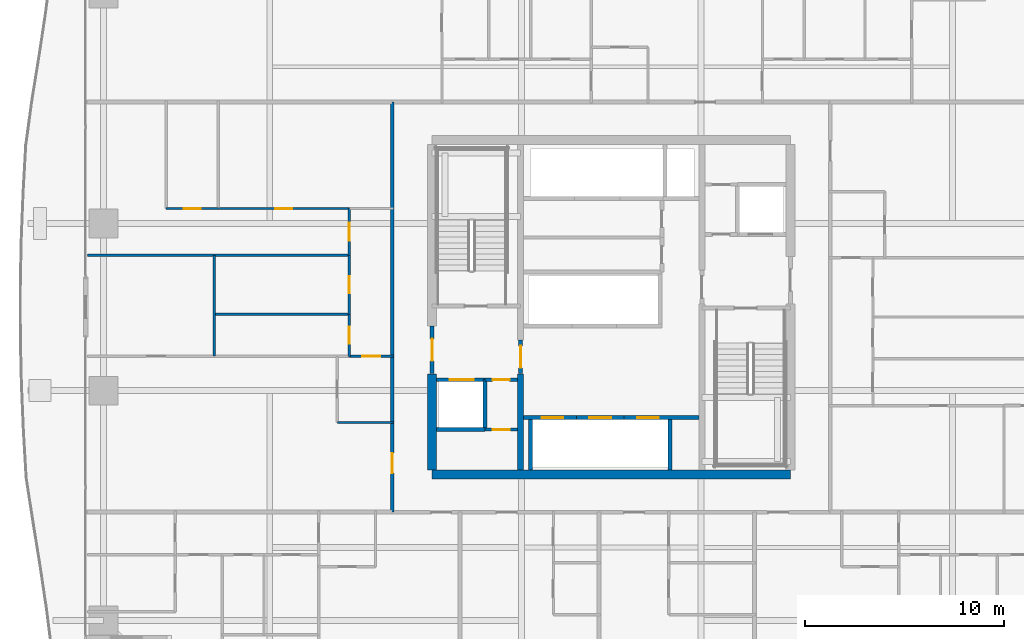
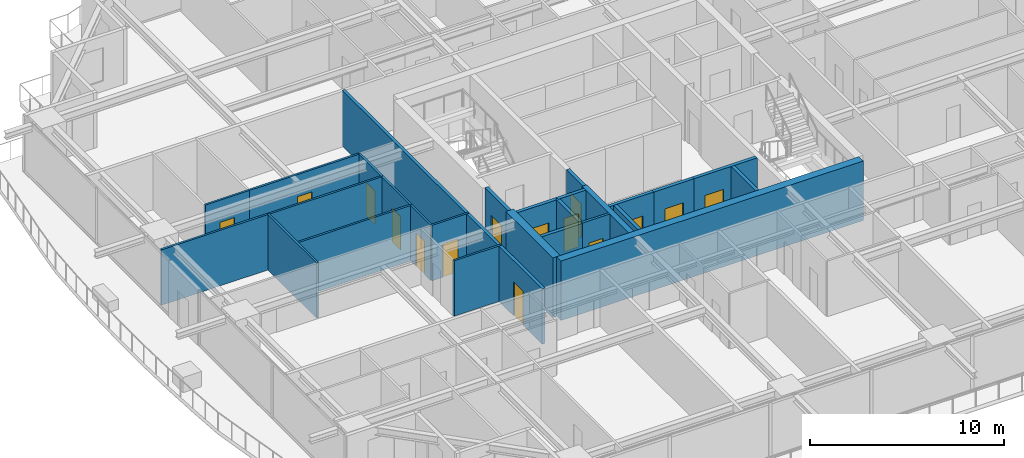
# One storey, part 24 of 35: 26 walls, 15 doors, 15 openings.
"""IFC4 building model written with IfcOpenShell, lengths in metres."""

from ifc_helpers import new_model, si_unit, direction, frame, frame_2d, origin, place, context, subcontext, project, spatial, rectangle, extrude, source, transform, mapped, material, layer, layer_set, type_object, element, fill, save


model = new_model("IFC4")

# Units and contexts
model_context = context("Model", 3, precision=1e-05, world=origin(), true_north=direction((0.0, 1.0)))
body_context = subcontext(model_context, "Body", "Model", "MODEL_VIEW")
ifc_project = project(units=[si_unit("LENGTHUNIT", "METRE"), si_unit("AREAUNIT", "SQUARE_METRE"), si_unit("VOLUMEUNIT", "CUBIC_METRE"), si_unit("PLANEANGLEUNIT", "RADIAN"), si_unit("MASSUNIT", "GRAM", prefix="KILO")], contexts=[model_context])

# Site, building, storey
site_placement = place(None, origin())
site = spatial("IfcSite", under=ifc_project, at=site_placement, CompositionType="ELEMENT")
building_placement = place(site_placement, origin())
building = spatial("IfcBuilding", under=site, at=building_placement, Name="Serunith Strait Residences", CompositionType="ELEMENT")
storey_placement = place(building_placement, frame((0.0, 0.0, 56.699951171875)))
storey = spatial("IfcBuildingStorey", under=building, at=storey_placement, Name="L13", CompositionType="ELEMENT", Elevation=56.699951171875)

# Wall, opening, door
ifc_material_1 = material(Name="Fire-rated masonry service closet wall", Category="masonry")
ifc_layer_1 = layer(ifc_material_1, 0.14990234375, Name="Fire-rated masonry service closet wall")
ifc_layer_set_1 = layer_set([ifc_layer_1], Name="Fire-rated masonry service closet wall")
wall_type_1 = type_object("IfcWallType", Name="IW-BOH-150", PredefinedType="PARTITIONING", material=ifc_layer_set_1)
wall_1_placement = place(storey_placement, frame((26.052001953125, 19.050048828125, 0.0), z_axis=(0.0, 0.0, 1.0), x_axis=(1.0, 0.0, 0.0)))
wall_1 = element("IfcWall", 1, at=wall_1_placement, inside=storey, type_object=wall_type_1, Name="L13 Partition Wall 012", PredefinedType="PARTITIONING", context=body_context, shape_type="SweptSolid", body=[
    extrude(rectangle(XDim=1.64794921875, YDim=0.14990234375, at=frame_2d((0.823974609375, 0.0))), origin(), (0.0, 0.0, 1.0), 3.489990234375),
])
opening_1_placement = place(wall_1_placement, frame((0.39892578125, 0.0, 0.0)))
opening_1 = element("IfcOpeningElement", 2, at=opening_1_placement, cuts=wall_1, Name="Opening FD-850", PredefinedType="OPENING", context=body_context, shape_type="SweptSolid", body=[
    extrude(rectangle(XDim=0.85009765625, YDim=2.10009765625, at=frame_2d((0.425048828125, 1.050048828125))), frame((0.0, 0.0849609375, 0.0), z_axis=(0.0, -1.0, 0.0), x_axis=(1.0, 0.0, 0.0)), (0.0, 0.0, 1.0), 0.169921875),
])
ifc_material_2 = material(Name="Powder-coated steel service closet door", Category="steel")
door_type_1 = type_object("IfcDoorType", Name="FD-BOH-850", OperationType="NOTDEFINED", PredefinedType="DOOR", material=ifc_material_2)
shared_shape_1 = source(origin(), body_context, "Body", "SweptSolid", [
    extrude(rectangle(XDim=0.85009765625, YDim=2.10009765625, at=frame_2d((0.425048828125, 1.050048828125))), frame((0.0, 0.02490234375, 0.0), z_axis=(0.0, -1.0, 0.0), x_axis=(1.0, 0.0, 0.0)), (0.0, 0.0, 1.0), 0.050048828125),
])
door_1_placement = place(opening_1_placement, origin())
door_1 = element("IfcDoor", 3, at=door_1_placement, inside=storey, type_object=door_type_1, Name="L13 Water Meter Door", OperationType="SINGLE_SWING_LEFT", OverallHeight=2.10009765625, OverallWidth=0.85009765625, PredefinedType="DOOR", context=body_context, shape_type="MappedRepresentation", body=[
    mapped(shared_shape_1, transform((0.0, 0.0, 0.0), scale=1.0)),
])
fill(opening_1, door_1)

ifc_material_3 = material(Name="Fire-rated acoustic gypsum partition")
ifc_layer_2 = layer(ifc_material_3, 0.179931640625, Name="Fire-rated acoustic gypsum partition")
ifc_layer_set_2 = layer_set([ifc_layer_2], Name="Fire-rated acoustic gypsum partition")
wall_type_2 = type_object("IfcWallType", Name="IW-CORR-180", PredefinedType="PARTITIONING", material=ifc_layer_set_2)
wall_2_placement = place(storey_placement, frame((21.39990234375, 14.89990234375, 0.0), z_axis=(0.0, 0.0, 1.0), x_axis=(0.0, 1.0, 0.0)))
wall_2 = element("IfcWall", 4, at=wall_2_placement, inside=storey, type_object=wall_type_2, Name="L13 Partition Wall 026", PredefinedType="PARTITIONING", context=body_context, shape_type="SweptSolid", body=[
    extrude(rectangle(XDim=20.60009765625, YDim=0.179931640625, at=frame_2d((10.300048828125, 0.0))), origin(), (0.0, 0.0, 1.0), 3.489990234375),
])
opening_2_placement = place(wall_2_placement, frame((1.9599609375, 0.0, 0.0)))
opening_2 = element("IfcOpeningElement", 5, at=opening_2_placement, cuts=wall_2, Name="Opening D-APT1000", PredefinedType="OPENING", context=body_context, shape_type="SweptSolid", body=[
    extrude(rectangle(XDim=1.0, YDim=2.14990234375, at=frame_2d((0.5, 1.074951171875))), frame((0.0, 0.10009765625, 0.0), z_axis=(0.0, -1.0, 0.0), x_axis=(1.0, 0.0, 0.0)), (0.0, 0.0, 1.0), 0.199951171875),
])
ifc_material_4 = material(Name="Solid timber engineered fire door", Category="wood")
door_type_2 = type_object("IfcDoorType", Name="ID-APT-1000", OperationType="NOTDEFINED", PredefinedType="DOOR", material=ifc_material_4)
shared_shape_2 = source(origin(), body_context, "Body", "SweptSolid", [
    extrude(rectangle(XDim=1.0, YDim=2.14990234375, at=frame_2d((0.5, 1.074951171875))), frame((0.0, 0.02490234375, 0.0), z_axis=(0.0, -1.0, 0.0), x_axis=(1.0, 0.0, 0.0)), (0.0, 0.0, 1.0), 0.050048828125),
])
door_2_placement = place(opening_2_placement, origin())
door_2 = element("IfcDoor", 6, at=door_2_placement, inside=storey, type_object=door_type_2, Name="L13 Unit 06 Entrance Door", OperationType="SINGLE_SWING_RIGHT", OverallHeight=2.14990234375, OverallWidth=1.0, PredefinedType="DOOR", context=body_context, shape_type="MappedRepresentation", body=[
    mapped(shared_shape_2, transform((0.0, 0.0, 0.0), scale=1.0)),
])
fill(opening_2, door_2)

# Wall
ifc_material_5 = material(Name="Lightweight steel-stud gypsum partition", Category="steel")
ifc_layer_3 = layer(ifc_material_5, 0.1201171875, Name="Lightweight steel-stud gypsum partition")
ifc_layer_set_3 = layer_set([ifc_layer_3], Name="Lightweight steel-stud gypsum partition")
wall_type_3 = type_object("IfcWallType", Name="IW-PART-120", PredefinedType="PARTITIONING", material=ifc_layer_set_3)
wall_3_placement = place(storey_placement, frame((18.64990234375, 19.39990234375, 0.0), z_axis=(0.0, 0.0, 1.0), x_axis=(1.0, 0.0, 0.0)))
element("IfcWall", 7, at=wall_3_placement, inside=storey, type_object=wall_type_3, Name="L13 Partition Wall 099", PredefinedType="PARTITIONING", context=body_context, shape_type="SweptSolid", body=[
    extrude(rectangle(XDim=2.81005859375, YDim=0.1201171875, at=frame_2d((1.405029296875, 0.0))), origin(), (0.0, 0.0, 1.0), 3.489990234375),
])

# Wall, opening, door
wall_4_placement = place(storey_placement, frame((19.25, 22.72998046875, 0.0), z_axis=(0.0, 0.0, 1.0), x_axis=(1.0, 0.0, 0.0)))
wall_4 = element("IfcWall", 8, at=wall_4_placement, inside=storey, type_object=wall_type_3, Name="L13 Partition Wall 100", PredefinedType="PARTITIONING", context=body_context, shape_type="SweptSolid", body=[
    extrude(rectangle(XDim=2.2099609375, YDim=0.1201171875, at=frame_2d((1.10498046875, 0.0))), origin(), (0.0, 0.0, 1.0), 3.489990234375),
])
opening_3_placement = place(wall_4_placement, frame((0.655029296875, 0.0, 0.0)))
opening_3 = element("IfcOpeningElement", 9, at=opening_3_placement, cuts=wall_4, Name="Opening D-RM900", PredefinedType="OPENING", context=body_context, shape_type="SweptSolid", body=[
    extrude(rectangle(XDim=0.89990234375, YDim=2.10009765625, at=frame_2d((0.449951171875, 1.050048828125))), frame((0.0, 0.070068359375, 0.0), z_axis=(0.0, -1.0, 0.0), x_axis=(1.0, 0.0, 0.0)), (0.0, 0.0, 1.0), 0.14013671875),
])
ifc_material_6 = material(Name="Engineered timber flush bedroom door", Category="wood")
door_type_3 = type_object("IfcDoorType", Name="ID-ROOM-900", OperationType="NOTDEFINED", PredefinedType="DOOR", material=ifc_material_6)
shared_shape_3 = source(origin(), body_context, "Body", "SweptSolid", [
    extrude(rectangle(XDim=0.89990234375, YDim=2.10009765625, at=frame_2d((0.449951171875, 1.050048828125))), frame((0.0, 0.02490234375, 0.0), z_axis=(0.0, -1.0, 0.0), x_axis=(1.0, 0.0, 0.0)), (0.0, 0.0, 1.0), 0.050048828125),
])
door_3_placement = place(opening_3_placement, origin())
door_3 = element("IfcDoor", 10, at=door_3_placement, inside=storey, type_object=door_type_3, Name="L13 Hall E 1306 Door", OperationType="SINGLE_SWING_RIGHT", OverallHeight=2.10009765625, OverallWidth=0.89990234375, PredefinedType="DOOR", context=body_context, shape_type="MappedRepresentation", body=[
    mapped(shared_shape_3, transform((0.0, 0.0, 0.0), scale=1.0)),
])
fill(opening_3, door_3)

# Walls
wall_5_placement = place(storey_placement, frame((12.470947265625, 22.72998046875, 0.0), z_axis=(0.0, 0.0, 1.0), x_axis=(0.0, 1.0, 0.0)))
element("IfcWall", 11, at=wall_5_placement, inside=storey, type_object=wall_type_3, Name="L13 Partition Wall 103", PredefinedType="PARTITIONING", context=body_context, shape_type="SweptSolid", body=[
    extrude(rectangle(XDim=5.070068359375, YDim=0.1201171875, at=frame_2d((2.53515625, 0.0))), origin(), (0.0, 0.0, 1.0), 3.489990234375),
])
wall_6_placement = place(storey_placement, frame((6.094970703125, 27.800048828125, 0.0), z_axis=(0.0, 0.0, 1.0), x_axis=(1.0, 0.0, 0.0)))
element("IfcWall", 12, at=wall_6_placement, inside=storey, type_object=wall_type_3, Name="L13 Partition Wall 104", PredefinedType="PARTITIONING", context=body_context, shape_type="SweptSolid", body=[
    extrude(rectangle(XDim=13.155029296875, YDim=0.1201171875, at=frame_2d((6.57763671875, 0.0))), origin(), (0.0, 0.0, 1.0), 3.489990234375),
])
wall_7_placement = place(storey_placement, frame((12.470947265625, 24.830078125, 0.0), z_axis=(0.0, 0.0, 1.0), x_axis=(1.0, 0.0, 0.0)))
element("IfcWall", 13, at=wall_7_placement, inside=storey, type_object=wall_type_3, Name="L13 Partition Wall 105", PredefinedType="PARTITIONING", context=body_context, shape_type="SweptSolid", body=[
    extrude(rectangle(XDim=6.779052734375, YDim=0.1201171875, at=frame_2d((3.3896484375, 0.0))), origin(), (0.0, 0.0, 1.0), 3.489990234375),
])

# Wall, opening, door
wall_8_placement = place(storey_placement, frame((19.25, 22.72998046875, 0.0), z_axis=(0.0, 0.0, 1.0), x_axis=(0.0, 1.0, 0.0)))
wall_8 = element("IfcWall", 14, at=wall_8_placement, inside=storey, type_object=wall_type_3, Name="L13 Partition Wall 106", PredefinedType="PARTITIONING", context=body_context, shape_type="SweptSolid", body=[
    extrude(rectangle(XDim=2.10009765625, YDim=0.1201171875, at=frame_2d((1.050048828125, 0.0))), origin(), (0.0, 0.0, 1.0), 3.489990234375),
])
opening_4_placement = place(wall_8_placement, frame((0.625, 0.0, 0.0)))
opening_4 = element("IfcOpeningElement", 15, at=opening_4_placement, cuts=wall_8, Name="Opening D-BTH850", PredefinedType="OPENING", context=body_context, shape_type="SweptSolid", body=[
    extrude(rectangle(XDim=0.85009765625, YDim=2.10009765625, at=frame_2d((0.425048828125, 1.050048828125))), frame((0.0, 0.070068359375, 0.0), z_axis=(0.0, -1.0, 0.0), x_axis=(1.0, 0.0, 0.0)), (0.0, 0.0, 1.0), 0.14013671875),
])
ifc_material_7 = material(Name="Moisture-resistant timber bathroom door", Category="wood")
door_type_4 = type_object("IfcDoorType", Name="ID-BATH-850", OperationType="NOTDEFINED", PredefinedType="DOOR", material=ifc_material_7)
door_4_placement = place(opening_4_placement, origin())
door_4 = element("IfcDoor", 16, at=door_4_placement, inside=storey, type_object=door_type_4, Name="L13 Bathroom 1306 Door", OperationType="SINGLE_SWING_RIGHT", OverallHeight=2.10009765625, OverallWidth=0.85009765625, PredefinedType="DOOR", context=body_context, shape_type="MappedRepresentation", body=[
    mapped(shared_shape_1, transform((0.0, 0.0, 0.0), scale=1.0)),
])
fill(opening_4, door_4)

wall_9_placement = place(storey_placement, frame((19.25, 24.83203125, 0.0), z_axis=(0.0, 0.0, 1.0), x_axis=(0.0, 1.0, 0.0)))
wall_9 = element("IfcWall", 17, at=wall_9_placement, inside=storey, type_object=wall_type_3, Name="L13 Partition Wall 107", PredefinedType="PARTITIONING", context=body_context, shape_type="SweptSolid", body=[
    extrude(rectangle(XDim=2.968017578125, YDim=0.1201171875, at=frame_2d((1.48388671875, 0.0))), origin(), (0.0, 0.0, 1.0), 3.489990234375),
])
opening_5_placement = place(wall_9_placement, frame((1.05908203125, 0.0, 0.0)))
opening_5 = element("IfcOpeningElement", 18, at=opening_5_placement, cuts=wall_9, Name="Opening D-RM850", PredefinedType="OPENING", context=body_context, shape_type="SweptSolid", body=[
    extrude(rectangle(XDim=0.85009765625, YDim=2.10009765625, at=frame_2d((0.425048828125, 1.050048828125))), frame((0.0, 0.070068359375, 0.0), z_axis=(0.0, -1.0, 0.0), x_axis=(1.0, 0.0, 0.0)), (0.0, 0.0, 1.0), 0.14013671875),
])
ifc_material_8 = material(Name="Engineered timber flush study and kitchen door", Category="wood")
door_type_5 = type_object("IfcDoorType", Name="ID-ROOM-850", OperationType="NOTDEFINED", PredefinedType="DOOR", material=ifc_material_8)
door_5_placement = place(opening_5_placement, origin())
door_5 = element("IfcDoor", 19, at=door_5_placement, inside=storey, type_object=door_type_5, Name="L13 Formal Dining Room 1306 Door", OperationType="SINGLE_SWING_LEFT", OverallHeight=2.10009765625, OverallWidth=0.85009765625, PredefinedType="DOOR", context=body_context, shape_type="MappedRepresentation", body=[
    mapped(shared_shape_1, transform((0.0, 0.0, 0.0), scale=1.0)),
])
fill(opening_5, door_5)

wall_10_placement = place(storey_placement, frame((19.25, 27.802001953125, 0.0), z_axis=(0.0, 0.0, 1.0), x_axis=(0.0, 1.0, 0.0)))
wall_10 = element("IfcWall", 20, at=wall_10_placement, inside=storey, type_object=wall_type_3, Name="L13 Partition Wall 108", PredefinedType="PARTITIONING", context=body_context, shape_type="SweptSolid", body=[
    extrude(rectangle(XDim=2.347900390625, YDim=0.1201171875, at=frame_2d((1.173828125, 0.0))), origin(), (0.0, 0.0, 1.0), 3.489990234375),
])
opening_6_placement = place(wall_10_placement, frame((0.72412109375, 0.0, 0.0)))
opening_6 = element("IfcOpeningElement", 21, at=opening_6_placement, cuts=wall_10, Name="Opening D-RM900", PredefinedType="OPENING", context=body_context, shape_type="SweptSolid", body=[
    extrude(rectangle(XDim=0.89990234375, YDim=2.10009765625, at=frame_2d((0.449951171875, 1.050048828125))), frame((0.0, 0.070068359375, 0.0), z_axis=(0.0, -1.0, 0.0), x_axis=(1.0, 0.0, 0.0)), (0.0, 0.0, 1.0), 0.14013671875),
])
door_6_placement = place(opening_6_placement, origin())
door_6 = element("IfcDoor", 22, at=door_6_placement, inside=storey, type_object=door_type_3, Name="L13 Master Bedroom E 1306 Door", OperationType="SINGLE_SWING_RIGHT", OverallHeight=2.10009765625, OverallWidth=0.89990234375, PredefinedType="DOOR", context=body_context, shape_type="MappedRepresentation", body=[
    mapped(shared_shape_3, transform((0.0, 0.0, 0.0), scale=1.0)),
])
fill(opening_6, door_6)

wall_11_placement = place(storey_placement, frame((10.050048828125, 30.14990234375, 0.0), z_axis=(0.0, 0.0, 1.0), x_axis=(1.0, 0.0, 0.0)))
wall_11 = element("IfcWall", 23, at=wall_11_placement, inside=storey, type_object=wall_type_3, Name="L13 Partition Wall 111", PredefinedType="PARTITIONING", context=body_context, shape_type="SweptSolid", body=[
    extrude(rectangle(XDim=2.616943359375, YDim=0.1201171875, at=frame_2d((1.30859375, 0.0))), origin(), (0.0, 0.0, 1.0), 3.489990234375),
])
opening_7_placement = place(wall_11_placement, frame((0.883056640625, 0.0, 0.0)))
opening_7 = element("IfcOpeningElement", 24, at=opening_7_placement, cuts=wall_11, Name="Opening D-BTH850", PredefinedType="OPENING", context=body_context, shape_type="SweptSolid", body=[
    extrude(rectangle(XDim=0.85009765625, YDim=2.10009765625, at=frame_2d((0.425048828125, 1.050048828125))), frame((0.0, 0.070068359375, 0.0), z_axis=(0.0, -1.0, 0.0), x_axis=(1.0, 0.0, 0.0)), (0.0, 0.0, 1.0), 0.14013671875),
])
door_7_placement = place(opening_7_placement, origin())
door_7 = element("IfcDoor", 25, at=door_7_placement, inside=storey, type_object=door_type_4, Name="L13 En-suite Bathroom E 1306 Door", OperationType="SINGLE_SWING_LEFT", OverallHeight=2.10009765625, OverallWidth=0.85009765625, PredefinedType="DOOR", context=body_context, shape_type="MappedRepresentation", body=[
    mapped(shared_shape_1, transform((0.0, 0.0, 0.0), scale=1.0)),
])
fill(opening_7, door_7)

wall_12_placement = place(storey_placement, frame((12.6689453125, 30.14990234375, 0.0), z_axis=(0.0, 0.0, 1.0), x_axis=(1.0, 0.0, 0.0)))
wall_12 = element("IfcWall", 26, at=wall_12_placement, inside=storey, type_object=wall_type_3, Name="L13 Partition Wall 112", PredefinedType="PARTITIONING", context=body_context, shape_type="SweptSolid", body=[
    extrude(rectangle(XDim=6.5810546875, YDim=0.1201171875, at=frame_2d((3.29052734375, 0.0))), origin(), (0.0, 0.0, 1.0), 3.489990234375),
])
opening_8_placement = place(wall_12_placement, frame((2.864990234375, 0.0, 0.0)))
opening_8 = element("IfcOpeningElement", 27, at=opening_8_placement, cuts=wall_12, Name="Opening D-RM850", PredefinedType="OPENING", context=body_context, shape_type="SweptSolid", body=[
    extrude(rectangle(XDim=0.85009765625, YDim=2.10009765625, at=frame_2d((0.425048828125, 1.050048828125))), frame((0.0, 0.070068359375, 0.0), z_axis=(0.0, -1.0, 0.0), x_axis=(1.0, 0.0, 0.0)), (0.0, 0.0, 1.0), 0.14013671875),
])
door_8_placement = place(opening_8_placement, origin())
door_8 = element("IfcDoor", 28, at=door_8_placement, inside=storey, type_object=door_type_5, Name="L13 Wardrobe E 1306 Door", OperationType="SINGLE_SWING_RIGHT", OverallHeight=2.10009765625, OverallWidth=0.85009765625, PredefinedType="DOOR", context=body_context, shape_type="MappedRepresentation", body=[
    mapped(shared_shape_1, transform((0.0, 0.0, 0.0), scale=1.0)),
])
fill(opening_8, door_8)

ifc_material_9 = material(Name="Autoclaved aerated concrete blockwork", Category="masonry")
ifc_layer_4 = layer(ifc_material_9, 0.199951171875, Name="Autoclaved aerated concrete blockwork")
ifc_layer_set_4 = layer_set([ifc_layer_4], Name="Autoclaved aerated concrete blockwork")
wall_type_4 = type_object("IfcWallType", Name="IW-SHAFT-200", PredefinedType="STANDARD", material=ifc_layer_set_4)
wall_13_placement = place(storey_placement, frame((23.625, 21.550048828125, 0.0), z_axis=(0.0, 0.0, 1.0), x_axis=(1.0, 0.0, 0.0)))
wall_13 = element("IfcWall", 29, at=wall_13_placement, inside=storey, type_object=wall_type_4, Name="L13 FL-1 North Shaft Wall", PredefinedType="STANDARD", context=body_context, shape_type="SweptSolid", body=[
    extrude(rectangle(XDim=2.425048828125, YDim=0.199951171875, at=frame_2d((1.21240234375, 0.0))), origin(), (0.0, 0.0, 1.0), 3.489990234375),
])
opening_9_placement = place(wall_13_placement, frame((0.675048828125, 0.0, 0.0)))
opening_9 = element("IfcOpeningElement", 30, at=opening_9_placement, cuts=wall_13, Name="Opening LD-FF1200", PredefinedType="OPENING", context=body_context, shape_type="SweptSolid", body=[
    extrude(rectangle(XDim=1.199951171875, YDim=2.199951171875, at=frame_2d((0.60009765625, 1.10009765625))), frame((0.0, 0.10986328125, 0.0), z_axis=(0.0, -1.0, 0.0), x_axis=(1.0, 0.0, 0.0)), (0.0, 0.0, 1.0), 0.219970703125),
])
ifc_material_10 = material(Name="Brushed stainless steel landing door", Category="steel")
door_type_6 = type_object("IfcDoorType", Name="LD-FF-1200", OperationType="DOUBLE_DOOR_SLIDING", PredefinedType="DOOR", material=ifc_material_10)
shared_shape_4 = source(origin(), body_context, "Body", "SweptSolid", [
    extrude(rectangle(XDim=1.199951171875, YDim=2.199951171875, at=frame_2d((0.60009765625, 1.10009765625))), frame((0.0, 0.02490234375, 0.0), z_axis=(0.0, -1.0, 0.0), x_axis=(1.0, 0.0, 0.0)), (0.0, 0.0, 1.0), 0.050048828125),
])
door_9_placement = place(opening_9_placement, origin())
door_9 = element("IfcDoor", 31, at=door_9_placement, inside=storey, type_object=door_type_6, Name="L13 FL-1 Landing Door", OperationType="DOUBLE_DOOR_SLIDING", OverallHeight=2.199951171875, OverallWidth=1.199951171875, PredefinedType="DOOR", context=body_context, shape_type="MappedRepresentation", body=[
    mapped(shared_shape_4, transform((0.0, 0.0, 0.0), scale=1.0)),
])
fill(opening_9, door_9)

wall_14_placement = place(storey_placement, frame((28.0, 19.64990234375, 0.0), z_axis=(0.0, 0.0, 1.0), x_axis=(1.0, 0.0, 0.0)))
wall_14 = element("IfcWall", 32, at=wall_14_placement, inside=storey, type_object=wall_type_4, Name="L13 PL-1 North Shaft Wall", PredefinedType="STANDARD", context=body_context, shape_type="SweptSolid", body=[
    extrude(rectangle(XDim=2.64990234375, YDim=0.199951171875, at=frame_2d((1.324951171875, 0.0))), origin(), (0.0, 0.0, 1.0), 3.489990234375),
])
opening_10_placement = place(wall_14_placement, frame((0.89990234375, 0.0, 0.0)))
opening_10 = element("IfcOpeningElement", 33, at=opening_10_placement, cuts=wall_14, Name="Opening LD-1100", PredefinedType="OPENING", context=body_context, shape_type="SweptSolid", body=[
    extrude(rectangle(XDim=1.10009765625, YDim=2.199951171875, at=frame_2d((0.550048828125, 1.10009765625))), frame((0.0, 0.10986328125, 0.0), z_axis=(0.0, -1.0, 0.0), x_axis=(1.0, 0.0, 0.0)), (0.0, 0.0, 1.0), 0.219970703125),
])
ifc_material_11 = material(Name="Pale-champagne stainless landing door")
door_type_7 = type_object("IfcDoorType", Name="LD-LIFT-1100", OperationType="DOUBLE_DOOR_SLIDING", PredefinedType="DOOR", material=ifc_material_11)
shared_shape_5 = source(origin(), body_context, "Body", "SweptSolid", [
    extrude(rectangle(XDim=1.10009765625, YDim=2.199951171875, at=frame_2d((0.550048828125, 1.10009765625))), frame((0.0, 0.02490234375, 0.0), z_axis=(0.0, -1.0, 0.0), x_axis=(1.0, 0.0, 0.0)), (0.0, 0.0, 1.0), 0.050048828125),
])
door_10_placement = place(opening_10_placement, origin())
door_10 = element("IfcDoor", 34, at=door_10_placement, inside=storey, type_object=door_type_7, Name="L13 PL-1 Landing Door", OperationType="DOUBLE_DOOR_SLIDING", OverallHeight=2.199951171875, OverallWidth=1.10009765625, PredefinedType="DOOR", context=body_context, shape_type="MappedRepresentation", body=[
    mapped(shared_shape_5, transform((0.0, 0.0, 0.0), scale=1.0)),
])
fill(opening_10, door_10)

# Wall
wall_15_placement = place(storey_placement, frame((28.35009765625, 17.02490234375, 0.0), z_axis=(0.0, 0.0, 1.0), x_axis=(0.0, 1.0, 0.0)))
element("IfcWall", 35, at=wall_15_placement, inside=storey, type_object=wall_type_4, Name="L13 PL-1 West Shaft Wall", PredefinedType="STANDARD", context=body_context, shape_type="SweptSolid", body=[
    extrude(rectangle(XDim=2.525146484375, YDim=0.199951171875, at=frame_2d((1.2626953125, 0.0))), origin(), (0.0, 0.0, 1.0), 3.489990234375),
])

# Wall, opening, door
wall_16_placement = place(storey_placement, frame((30.64990234375, 19.64990234375, 0.0), z_axis=(0.0, 0.0, 1.0), x_axis=(1.0, 0.0, 0.0)))
wall_16 = element("IfcWall", 36, at=wall_16_placement, inside=storey, type_object=wall_type_4, Name="L13 PL-2 North Shaft Wall", PredefinedType="STANDARD", context=body_context, shape_type="SweptSolid", body=[
    extrude(rectangle(XDim=2.400146484375, YDim=0.199951171875, at=frame_2d((1.2001953125, 0.0))), origin(), (0.0, 0.0, 1.0), 3.489990234375),
])
opening_11_placement = place(wall_16_placement, frame((0.64990234375, 0.0, 0.0)))
opening_11 = element("IfcOpeningElement", 37, at=opening_11_placement, cuts=wall_16, Name="Opening LD-1100", PredefinedType="OPENING", context=body_context, shape_type="SweptSolid", body=[
    extrude(rectangle(XDim=1.10009765625, YDim=2.199951171875, at=frame_2d((0.550048828125, 1.10009765625))), frame((0.0, 0.10986328125, 0.0), z_axis=(0.0, -1.0, 0.0), x_axis=(1.0, 0.0, 0.0)), (0.0, 0.0, 1.0), 0.219970703125),
])
door_11_placement = place(opening_11_placement, origin())
door_11 = element("IfcDoor", 38, at=door_11_placement, inside=storey, type_object=door_type_7, Name="L13 PL-2 Landing Door", OperationType="DOUBLE_DOOR_SLIDING", OverallHeight=2.199951171875, OverallWidth=1.10009765625, PredefinedType="DOOR", context=body_context, shape_type="MappedRepresentation", body=[
    mapped(shared_shape_5, transform((0.0, 0.0, 0.0), scale=1.0)),
])
fill(opening_11, door_11)

wall_17_placement = place(storey_placement, frame((33.050048828125, 19.64990234375, 0.0), z_axis=(0.0, 0.0, 1.0), x_axis=(1.0, 0.0, 0.0)))
wall_17 = element("IfcWall", 39, at=wall_17_placement, inside=storey, type_object=wall_type_4, Name="L13 PL-3 North Shaft Wall", PredefinedType="STANDARD", context=body_context, shape_type="SweptSolid", body=[
    extrude(rectangle(XDim=3.75, YDim=0.199951171875, at=frame_2d((1.875, 0.0))), origin(), (0.0, 0.0, 1.0), 3.489990234375),
])
opening_12_placement = place(wall_17_placement, frame((0.64990234375, 0.0, 0.0)))
opening_12 = element("IfcOpeningElement", 40, at=opening_12_placement, cuts=wall_17, Name="Opening LD-1100", PredefinedType="OPENING", context=body_context, shape_type="SweptSolid", body=[
    extrude(rectangle(XDim=1.10009765625, YDim=2.199951171875, at=frame_2d((0.550048828125, 1.10009765625))), frame((0.0, 0.10986328125, 0.0), z_axis=(0.0, -1.0, 0.0), x_axis=(1.0, 0.0, 0.0)), (0.0, 0.0, 1.0), 0.219970703125),
])
door_12_placement = place(opening_12_placement, origin())
door_12 = element("IfcDoor", 41, at=door_12_placement, inside=storey, type_object=door_type_7, Name="L13 PL-3 Landing Door", OperationType="DOUBLE_DOOR_SLIDING", OverallHeight=2.199951171875, OverallWidth=1.10009765625, PredefinedType="DOOR", context=body_context, shape_type="MappedRepresentation", body=[
    mapped(shared_shape_5, transform((0.0, 0.0, 0.0), scale=1.0)),
])
fill(opening_12, door_12)

# Walls
wall_18_placement = place(storey_placement, frame((35.35009765625, 17.02490234375, 0.0), z_axis=(0.0, 0.0, 1.0), x_axis=(0.0, 1.0, 0.0)))
element("IfcWall", 42, at=wall_18_placement, inside=storey, type_object=wall_type_4, Name="L13 PL-3 East Shaft Wall", PredefinedType="STANDARD", context=body_context, shape_type="SweptSolid", body=[
    extrude(rectangle(XDim=2.525146484375, YDim=0.199951171875, at=frame_2d((1.2626953125, 0.0))), origin(), (0.0, 0.0, 1.0), 3.489990234375),
])
wall_19_placement = place(storey_placement, frame((26.050048828125, 19.050048828125, 0.0), z_axis=(0.0, 0.0, 1.0), x_axis=(0.0, 1.0, 0.0)))
element("IfcWall", 43, at=wall_19_placement, inside=storey, type_object=wall_type_4, Name="L13 Partition Wall 001", PredefinedType="STANDARD", context=body_context, shape_type="SweptSolid", body=[
    extrude(rectangle(XDim=2.5, YDim=0.199951171875, at=frame_2d((1.25, 0.0))), origin(), (0.0, 0.0, 1.0), 3.489990234375),
])
wall_20_placement = place(storey_placement, frame((23.625, 19.050048828125, 0.0), z_axis=(0.0, 0.0, 1.0), x_axis=(1.0, 0.0, 0.0)))
element("IfcWall", 44, at=wall_20_placement, inside=storey, type_object=wall_type_4, Name="L13 Partition Wall 002", PredefinedType="STANDARD", context=body_context, shape_type="SweptSolid", body=[
    extrude(rectangle(XDim=2.425048828125, YDim=0.199951171875, at=frame_2d((1.21240234375, 0.0))), origin(), (0.0, 0.0, 1.0), 3.489990234375),
])

# Wall, opening, door
wall_21_placement = place(storey_placement, frame((26.052001953125, 21.550048828125, 0.0), z_axis=(0.0, 0.0, 1.0), x_axis=(1.0, 0.0, 0.0)))
wall_21 = element("IfcWall", 45, at=wall_21_placement, inside=storey, type_object=wall_type_4, Name="L13 Partition Wall 003", PredefinedType="STANDARD", context=body_context, shape_type="SweptSolid", body=[
    extrude(rectangle(XDim=1.64794921875, YDim=0.199951171875, at=frame_2d((0.823974609375, 0.0))), origin(), (0.0, 0.0, 1.0), 3.489990234375),
])
opening_13_placement = place(wall_21_placement, frame((0.39892578125, 0.0, 0.0)))
opening_13 = element("IfcOpeningElement", 46, at=opening_13_placement, cuts=wall_21, Name="Opening FD-850", PredefinedType="OPENING", context=body_context, shape_type="SweptSolid", body=[
    extrude(rectangle(XDim=0.85009765625, YDim=2.10009765625, at=frame_2d((0.425048828125, 1.050048828125))), frame((0.0, 0.10986328125, 0.0), z_axis=(0.0, -1.0, 0.0), x_axis=(1.0, 0.0, 0.0)), (0.0, 0.0, 1.0), 0.219970703125),
])
door_13_placement = place(opening_13_placement, origin())
door_13 = element("IfcDoor", 47, at=door_13_placement, inside=storey, type_object=door_type_1, Name="L13 South-West Core Service Door", OperationType="SINGLE_SWING_LEFT", OverallHeight=2.10009765625, OverallWidth=0.85009765625, PredefinedType="DOOR", context=body_context, shape_type="MappedRepresentation", body=[
    mapped(shared_shape_1, transform((0.0, 0.0, 0.0), scale=1.0)),
])
fill(opening_13, door_13)

wall_22_placement = place(storey_placement, frame((23.39990234375, 21.85205078125, 0.0), z_axis=(0.0, 0.0, 1.0), x_axis=(0.0, 1.0, 0.0)))
wall_22 = element("IfcWall", 48, at=wall_22_placement, inside=storey, type_object=wall_type_4, Name="L13 Partition Wall 007", PredefinedType="STANDARD", context=body_context, shape_type="SweptSolid", body=[
    extrude(rectangle(XDim=2.39599609375, YDim=0.199951171875, at=frame_2d((1.197998046875, 0.0))), origin(), (0.0, 0.0, 1.0), 3.489990234375),
])
opening_14_placement = place(wall_22_placement, frame((0.64794921875, 0.0, 0.0)))
opening_14 = element("IfcOpeningElement", 49, at=opening_14_placement, cuts=wall_22, Name="Opening FD-FFL", PredefinedType="OPENING", context=body_context, shape_type="SweptSolid", body=[
    extrude(rectangle(XDim=1.10009765625, YDim=2.14990234375, at=frame_2d((0.550048828125, 1.074951171875))), frame((0.0, 0.10986328125, 0.0), z_axis=(0.0, -1.0, 0.0), x_axis=(1.0, 0.0, 0.0)), (0.0, 0.0, 1.0), 0.219970703125),
])
ifc_material_12 = material(Name="Glazed steel smoke-lobby fire door", Category="steel")
door_type_8 = type_object("IfcDoorType", Name="FD-FFL-1100", OperationType="NOTDEFINED", PredefinedType="DOOR", material=ifc_material_12)
shared_shape_6 = source(origin(), body_context, "Body", "SweptSolid", [
    extrude(rectangle(XDim=1.10009765625, YDim=2.14990234375, at=frame_2d((0.550048828125, 1.074951171875))), frame((0.0, 0.02490234375, 0.0), z_axis=(0.0, -1.0, 0.0), x_axis=(1.0, 0.0, 0.0)), (0.0, 0.0, 1.0), 0.050048828125),
])
door_14_placement = place(opening_14_placement, origin())
door_14 = element("IfcDoor", 50, at=door_14_placement, inside=storey, type_object=door_type_8, Name="L13 FFL-1 Corridor Fire Door", OperationType="SINGLE_SWING_LEFT", OverallHeight=2.14990234375, OverallWidth=1.10009765625, PredefinedType="DOOR", context=body_context, shape_type="MappedRepresentation", body=[
    mapped(shared_shape_6, transform((0.0, 0.0, 0.0), scale=1.0)),
])
fill(opening_14, door_14)

wall_23_placement = place(storey_placement, frame((27.85009765625, 21.85205078125, 0.0), z_axis=(0.0, 0.0, 1.0), x_axis=(0.0, 1.0, 0.0)))
wall_23 = element("IfcWall", 51, at=wall_23_placement, inside=storey, type_object=wall_type_4, Name="L13 Partition Wall 009", PredefinedType="STANDARD", context=body_context, shape_type="SweptSolid", body=[
    extrude(rectangle(XDim=1.696044921875, YDim=0.199951171875, at=frame_2d((0.84814453125, 0.0))), origin(), (0.0, 0.0, 1.0), 3.489990234375),
])
opening_15_placement = place(wall_23_placement, frame((0.298095703125, 0.0, 0.0)))
opening_15 = element("IfcOpeningElement", 52, at=opening_15_placement, cuts=wall_23, Name="Opening FD-FFL", PredefinedType="OPENING", context=body_context, shape_type="SweptSolid", body=[
    extrude(rectangle(XDim=1.10009765625, YDim=2.14990234375, at=frame_2d((0.550048828125, 1.074951171875))), frame((0.0, 0.10986328125, 0.0), z_axis=(0.0, -1.0, 0.0), x_axis=(1.0, 0.0, 0.0)), (0.0, 0.0, 1.0), 0.219970703125),
])
door_15_placement = place(opening_15_placement, origin())
door_15 = element("IfcDoor", 53, at=door_15_placement, inside=storey, type_object=door_type_8, Name="L13 FFL-1 Lift Lobby Door", OperationType="SINGLE_SWING_LEFT", OverallHeight=2.14990234375, OverallWidth=1.10009765625, PredefinedType="DOOR", context=body_context, shape_type="MappedRepresentation", body=[
    mapped(shared_shape_6, transform((0.0, 0.0, 0.0), scale=1.0)),
])
fill(opening_15, door_15)

# Walls
ifc_material_13 = material(Name="Concrete C80/95", Category="concrete")
ifc_layer_5 = layer(ifc_material_13, 0.300048828125, Name="Concrete C80/95")
ifc_layer_set_5 = layer_set([ifc_layer_5], Name="Concrete C80/95")
wall_type_5 = type_object("IfcWallType", Name="SW-300-C80", PredefinedType="SHEAR", material=ifc_layer_set_5)
wall_24_placement = place(storey_placement, frame((27.85009765625, 17.02490234375, -0.260009765625), z_axis=(0.0, 0.0, 1.0), x_axis=(0.0, 1.0, 0.0)))
element("IfcWall", 54, at=wall_24_placement, inside=storey, type_object=wall_type_5, Name="L13 Core Internal West Web South Pier", PredefinedType="SHEAR", context=body_context, shape_type="SweptSolid", body=[
    extrude(rectangle(XDim=4.8251953125, YDim=0.300048828125, at=frame_2d((2.41259765625, 0.0))), origin(), (0.0, 0.0, 1.0), 3.748046875),
])
ifc_layer_6 = layer(ifc_material_13, 0.449951171875, Name="Concrete C80/95")
ifc_layer_set_6 = layer_set([ifc_layer_6], Name="Concrete C80/95")
wall_type_6 = type_object("IfcWallType", Name="SW-450-C80", PredefinedType="SHEAR", material=ifc_layer_set_6)
wall_25_placement = place(storey_placement, frame((23.39990234375, 16.800048828125, -0.260009765625), z_axis=(0.0, 0.0, 1.0), x_axis=(1.0, 0.0, 0.0)))
element("IfcWall", 55, at=wall_25_placement, inside=storey, type_object=wall_type_6, Name="L13 Core South Shear Wall", PredefinedType="SHEAR", context=body_context, shape_type="SweptSolid", body=[
    extrude(rectangle(XDim=18.0, YDim=0.449951171875, at=frame_2d((9.0, 0.0))), origin(), (0.0, 0.0, 1.0), 3.748046875),
])
wall_26_placement = place(storey_placement, frame((23.39990234375, 17.02490234375, -0.260009765625), z_axis=(0.0, 0.0, 1.0), x_axis=(0.0, 1.0, 0.0)))
element("IfcWall", 56, at=wall_26_placement, inside=storey, type_object=wall_type_6, Name="L13 Core West Shear Wall South Pier", PredefinedType="SHEAR", context=body_context, shape_type="SweptSolid", body=[
    extrude(rectangle(XDim=4.8251953125, YDim=0.449951171875, at=frame_2d((2.41259765625, 0.0))), origin(), (0.0, 0.0, 1.0), 3.748046875),
])

save(model, "model.ifc")
